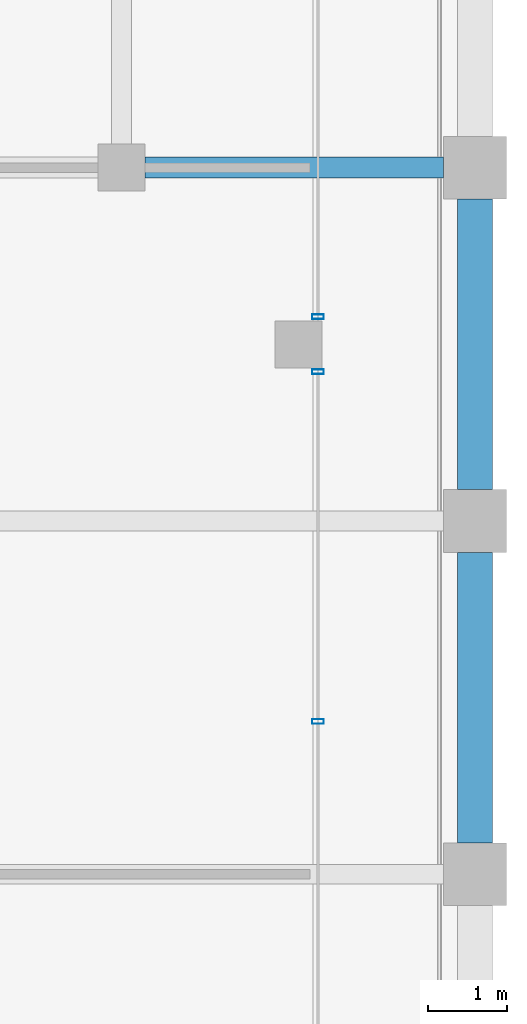
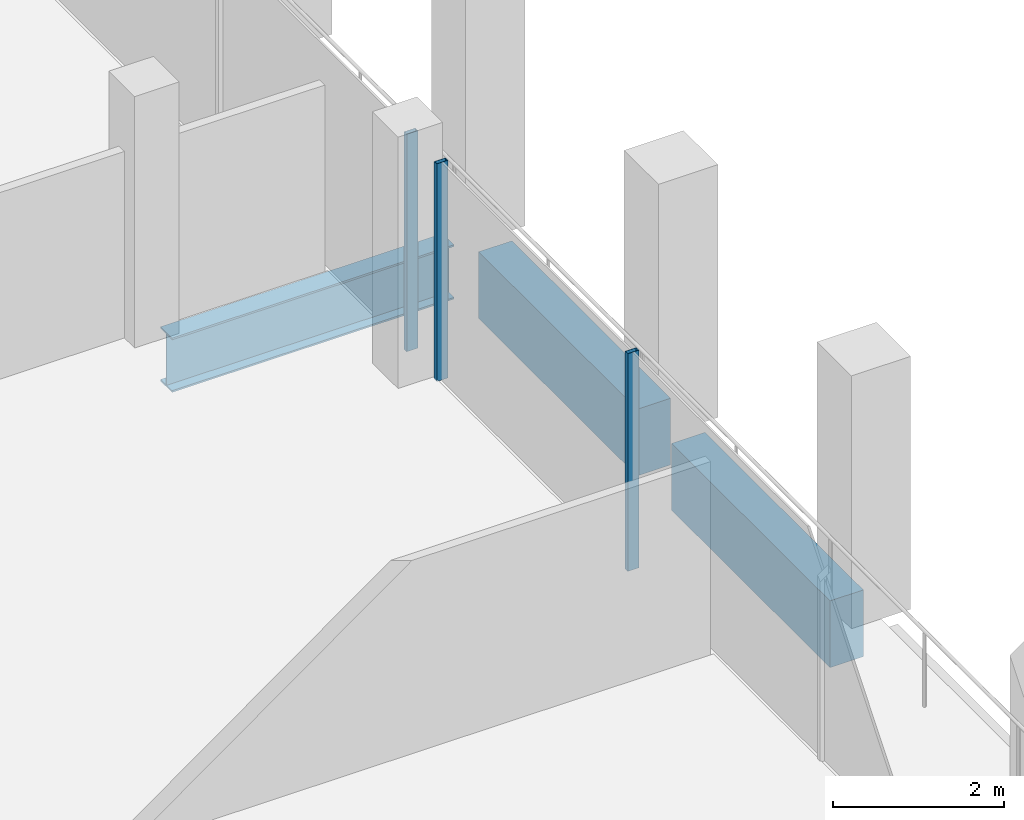
# One storey, part 19 of 30: 3 beams, 3 members, 2 elements without a shape of their own.
"""IFC4 building model written with IfcOpenShell, lengths in metres."""

from ifc_helpers import new_model, si_unit, direction, frame, origin, origin_2d, place, context, subcontext, project, spatial, rectangle, hollow_rectangle, i_section, extrude, material, material_profile, profile_set, type_object, element, aggregate, save


model = new_model("IFC4")

# Units and contexts
model_context = context("Model", 3, precision=1e-05, world=origin(), true_north=direction((0.0, 1.0)))
body_context = subcontext(model_context, "Body", "Model", "MODEL_VIEW")
ifc_project = project(units=[si_unit("LENGTHUNIT", "METRE"), si_unit("AREAUNIT", "SQUARE_METRE"), si_unit("VOLUMEUNIT", "CUBIC_METRE"), si_unit("PLANEANGLEUNIT", "RADIAN"), si_unit("MASSUNIT", "GRAM", prefix="KILO")], contexts=[model_context])

# Site, building, storey
site_placement = place(None, origin())
site = spatial("IfcSite", under=ifc_project, at=site_placement, CompositionType="ELEMENT")
building_placement = place(site_placement, origin())
building = spatial("IfcBuilding", under=site, at=building_placement, Name="Altepetl Exchange Towers", CompositionType="ELEMENT")
storey_placement = place(building_placement, frame((0.0, 0.0, 235.199951171875)))
storey = spatial("IfcBuildingStorey", under=building, at=storey_placement, Name="L60", CompositionType="ELEMENT", Elevation=235.199951171875)

# Beam
ifc_material_1 = material(Name="Steel S355", Category="steel")
ifc_material_profile_1 = material_profile(ifc_material_1, i_section(OverallWidth=0.26806640625, OverallDepth=0.77392578125, WebThickness=0.015380859375, FlangeThickness=0.025390625, at=origin_2d()), Name="W30X132")
ifc_profile_set_1 = profile_set([ifc_material_profile_1], Name="Steel S355")
beam_type_1 = type_object("IfcBeamType", Name="Girder W30X132", PredefinedType="BEAM", material=ifc_profile_set_1)
beam_placement = place(storey_placement, frame((67.800048828125, 58.5, -0.536865234375), z_axis=(1.0, 0.0, 0.0), x_axis=(0.0, 1.0, 0.0)))
element("IfcBeam", 1, at=beam_placement, inside=storey, type_object=beam_type_1, Name="gd:A:L60:002", PredefinedType="BEAM", context=body_context, shape_type="SweptSolid", body=[
    extrude(i_section(OverallWidth=0.26806640625, OverallDepth=0.77392578125, WebThickness=0.015380859375, FlangeThickness=0.025390625, at=origin_2d()), origin(), (0.0, 0.0, 1.0), 3.800048828125),
])

# Curtain wall, members
ifc_material_2 = material(Name="Aluminium 6063-T6 glazing", Category="aluminium")
curtain_wall_type = type_object("IfcCurtainWallType", Name="Loggia glazing system", PredefinedType="NOTDEFINED", material=ifc_material_2)
curtain_wall_1_placement = place(storey_placement, origin())
curtain_wall_1 = element("IfcCurtainWall", 2, at=curtain_wall_1_placement, inside=storey, type_object=curtain_wall_type, Name="CW1 run", PredefinedType="NOTDEFINED")
ifc_material_3 = material(Name="Aluminium 6063-T6", Category="aluminium")
ifc_material_profile_2 = material_profile(ifc_material_3, hollow_rectangle(XDim=0.06005859375, YDim=0.14990234375, WallThickness=0.0029296875, at=origin_2d()), Name="Mullion 60x150 aluminium")
ifc_profile_set_2 = profile_set([ifc_material_profile_2], Name="Aluminium 6063-T6")
member_type = type_object("IfcMemberType", Name="Mullion 60x150 aluminium", PredefinedType="MULLION", material=ifc_profile_set_2)
member_1_placement = place(storey_placement, frame((70.0, 51.444091796875, 0.0), z_axis=(0.0, 0.0, 1.0), x_axis=(0.0, 1.0, 0.0)))
member_1 = element("IfcMember", 3, at=member_1_placement, type_object=member_type, Name="MU1 mullion", PredefinedType="MULLION", context=body_context, shape_type="SweptSolid", body=[
    extrude(hollow_rectangle(XDim=0.06005859375, YDim=0.14990234375, WallThickness=0.0029296875, at=origin_2d()), origin(), (0.0, 0.0, 1.0), 3.10009765625),
])
member_2_placement = place(storey_placement, frame((70.0, 55.89990234375, 0.0), z_axis=(0.0, 0.0, 1.0), x_axis=(0.0, 1.0, 0.0)))
member_2 = element("IfcMember", 4, at=member_2_placement, type_object=member_type, Name="MU1 mullion", PredefinedType="MULLION", context=body_context, shape_type="SweptSolid", body=[
    extrude(hollow_rectangle(XDim=0.06005859375, YDim=0.14990234375, WallThickness=0.0029296875, at=origin_2d()), origin(), (0.0, 0.0, 1.0), 3.10009765625),
])
aggregate(curtain_wall_1, [member_1, member_2])

# Curtain wall, member
curtain_wall_2_placement = place(storey_placement, origin())
curtain_wall_2 = element("IfcCurtainWall", 5, at=curtain_wall_2_placement, inside=storey, type_object=curtain_wall_type, Name="CW1 run", PredefinedType="NOTDEFINED")
member_3_placement = place(storey_placement, frame((70.0, 56.60009765625, 0.0), z_axis=(0.0, 0.0, 1.0), x_axis=(0.0, 1.0, 0.0)))
member_3 = element("IfcMember", 6, at=member_3_placement, type_object=member_type, Name="MU1 mullion", PredefinedType="MULLION", context=body_context, shape_type="SweptSolid", body=[
    extrude(hollow_rectangle(XDim=0.06005859375, YDim=0.14990234375, WallThickness=0.0029296875, at=origin_2d()), origin(), (0.0, 0.0, 1.0), 3.10009765625),
])
aggregate(curtain_wall_2, [member_3])

# Beams
ifc_material_4 = material(Name="Concrete C50/60 precast with cantera amarilla facing", Category="concrete")
ifc_material_profile_3 = material_profile(ifc_material_4, rectangle(XDim=0.449951171875, YDim=0.949951171875, at=origin_2d()), Name="450 x 950")
ifc_profile_set_3 = profile_set([ifc_material_profile_3], Name="Concrete C50/60 precast with cantera amarilla facing")
beam_type_2 = type_object("IfcBeamType", Name="Spandrel beam 450x950 cantera amarilla", PredefinedType="SPANDREL", material=ifc_profile_set_3)
for number, where, z_axis, x_axis, name in (
    (7, (72.0, 49.89990234375, -0.625), (0.0, 1.0, 0.0), (-1.0, 0.0, 0.0), "sp:A:L60:016"),
    (8, (72.0, 54.39990234375, -0.625), (0.0, 1.0, 0.0), (-1.0, 0.0, 0.0), "sp:A:L60:017"),
):
    element("IfcBeam", number, at=place(storey_placement, frame(where, z_axis=z_axis, x_axis=x_axis)), inside=storey, type_object=beam_type_2, Name=name, PredefinedType="SPANDREL", context=body_context, shape_type="SweptSolid", body=[
        extrude(rectangle(XDim=0.449951171875, YDim=0.949951171875, at=origin_2d()), origin(), (0.0, 0.0, 1.0), 3.7001953125),
    ])

save(model, "model.ifc")
